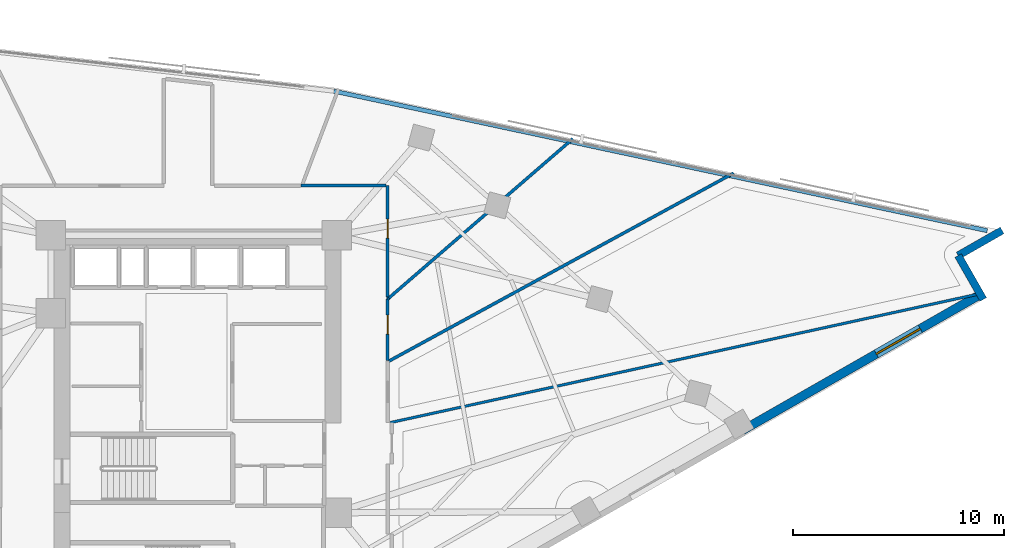
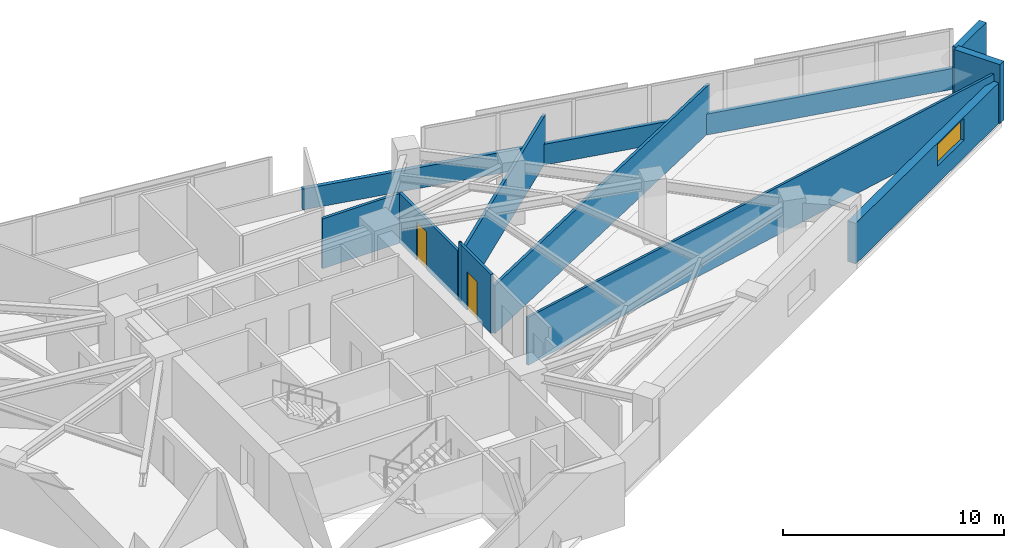
# One storey, part 11 of 14: 11 walls, 2 doors, 1 window, 3 openings.
"""IFC4 building model written with IfcOpenShell, lengths in metres."""

from ifc_helpers import new_model, si_unit, direction, frame, frame_2d, origin, place, context, subcontext, project, spatial, rectangle, extrude, material, layer, layer_set, type_object, element, fill, save


model = new_model("IFC4")

# Units and contexts
model_context = context("Model", 3, precision=1e-05, world=origin(), true_north=direction((0.0, 1.0)))
body_context = subcontext(model_context, "Body", "Model", "MODEL_VIEW")
ifc_project = project(units=[si_unit("LENGTHUNIT", "METRE"), si_unit("AREAUNIT", "SQUARE_METRE"), si_unit("VOLUMEUNIT", "CUBIC_METRE"), si_unit("PLANEANGLEUNIT", "RADIAN"), si_unit("MASSUNIT", "GRAM", prefix="KILO")], contexts=[model_context])

# Site, building, storey
site_placement = place(None, origin())
site = spatial("IfcSite", under=ifc_project, at=site_placement, CompositionType="ELEMENT")
building_placement = place(site_placement, origin())
building = spatial("IfcBuilding", under=site, at=building_placement, Name="Narakoshi Arena Tower", CompositionType="ELEMENT")
storey_placement = place(building_placement, frame((0.0, 0.0, 214.97998046875)))
storey = spatial("IfcBuildingStorey", under=building, at=storey_placement, Name="L58", CompositionType="ELEMENT", Elevation=214.97998046875)

# Walls
ifc_material_1 = material(Name="Precast concrete C45/55", Category="concrete")
ifc_layer_1 = layer(ifc_material_1, 0.25)
ifc_layer_set_1 = layer_set([ifc_layer_1], Name="Precast concrete C45/55")
wall_type_1 = type_object("IfcWallType", Name="WL-PARA-250", PredefinedType="PARAPET", material=ifc_layer_set_1)
wall_1_placement = place(storey_placement, frame((116.3955078125, 56.7216796875, 0.0), z_axis=(0.0, 0.0, 1.0), x_axis=(-0.977936620644, 0.208901809478, 0.0)))
element("IfcWall", 1, at=wall_1_placement, inside=storey, type_object=wall_type_1, Name="L58 Hypotenuse Sill Upstand Parapet 1-01", PredefinedType="PARAPET", context=body_context, shape_type="SweptSolid", body=[
    extrude(rectangle(XDim=31.685302734375, YDim=0.199951171875, at=frame_2d((15.8427734375, 0.0))), origin(), (0.0, 0.0, 1.0), 1.14990234375),
])
ifc_material_2 = material(Name="Gypsum plasterboard fire-rated partition")
ifc_layer_2 = layer(ifc_material_2, 0.125)
ifc_layer_set_2 = layer_set([ifc_layer_2], Name="Gypsum plasterboard fire-rated partition")
wall_type_2 = type_object("IfcWallType", Name="WL-PART-125", PredefinedType="PARTITIONING", material=ifc_layer_set_2)
wall_2_placement = place(storey_placement, frame((88.08203125, 47.6201171875, 0.0), z_axis=(0.0, 0.0, 1.0), x_axis=(0.976930213731, 0.21355879167, 0.0)))
element("IfcWall", 2, at=wall_2_placement, inside=storey, type_object=wall_type_2, Name="L58 Inter-Room Partition 02-03", PredefinedType="PARTITIONING", context=body_context, shape_type="SweptSolid", body=[
    extrude(rectangle(XDim=28.63134765625, YDim=0.125, at=frame_2d((14.315673828125, 0.0))), origin(), (0.0, 0.0, 1.0), 2.64501953125),
])

# Wall, opening, window
ifc_layer_3 = layer(ifc_material_1, 0.419921875)
ifc_layer_set_3 = layer_set([ifc_layer_3], Name="Precast concrete C45/55")
wall_type_3 = type_object("IfcWallType", Name="WL-POD-420", PredefinedType="SOLIDWALL", material=ifc_layer_set_3)
wall_3_placement = place(storey_placement, frame((104.791015625, 47.25048828125, 0.0), z_axis=(0.0, 0.0, 1.0), x_axis=(0.868193423982, 0.496225934987, 0.0)))
wall_3 = element("IfcWall", 3, at=wall_3_placement, inside=storey, type_object=wall_type_3, Name="L58 Architectural Concrete Facade Wall LEGA-4", PredefinedType="SOLIDWALL", context=body_context, shape_type="SweptSolid", body=[
    extrude(rectangle(XDim=12.9951171875, YDim=0.419921875, at=frame_2d((6.49755859375, 0.0))), origin(), (0.0, 0.0, 1.0), 2.2451171875),
])
opening_1_placement = place(wall_3_placement, frame((7.309814453125, 0.0, 0.965087890625)))
opening_1 = element("IfcOpeningElement", 4, at=opening_1_placement, cuts=wall_3, Name="Opening WN-04", PredefinedType="OPENING", context=body_context, shape_type="SweptSolid", body=[
    extrude(rectangle(XDim=2.39990234375, YDim=1.199951171875, at=frame_2d((1.199951171875, 0.60009765625))), frame((0.0, 0.219970703125, 0.0), z_axis=(0.0, -1.0, 0.0), x_axis=(1.0, 0.0, 0.0)), (0.0, 0.0, 1.0), 0.43994140625),
])
ifc_material_3 = material(Name="Bronze-tinted low-E laminated glass", Category="glass")
window_type = type_object("IfcWindowType", Name="WIN-SLT-24x12", PartitioningType="SINGLE_PANEL", PredefinedType="WINDOW", material=ifc_material_3)
window_placement = place(opening_1_placement, origin())
window = element("IfcWindow", 5, at=window_placement, inside=storey, type_object=window_type, Name="L58 LEGA4 Horizontal Slot Window 1", OverallHeight=1.199951171875, OverallWidth=2.39990234375, PartitioningType="SINGLE_PANEL", PredefinedType="WINDOW", context=body_context, shape_type="SweptSolid", body=[
    extrude(rectangle(XDim=2.39990234375, YDim=1.199951171875, at=frame_2d((1.199951171875, 0.60009765625))), frame((0.0, 0.030029296875, 0.0), z_axis=(0.0, -1.0, 0.0), x_axis=(1.0, 0.0, 0.0)), (0.0, 0.0, 1.0), 0.06005859375),
])
fill(opening_1, window)

# Walls
wall_4_placement = place(storey_placement, frame((116.209716796875, 53.460205078125, 0.0), z_axis=(0.0, 0.0, 1.0), x_axis=(-0.496215637313, 0.868199309655, 0.0)))
element("IfcWall", 6, at=wall_4_placement, inside=storey, type_object=wall_type_3, Name="L58 Re-Entrant Corner Notch Wall NTE-1", PredefinedType="SOLIDWALL", context=body_context, shape_type="SweptSolid", body=[
    extrude(rectangle(XDim=2.3994140625, YDim=0.360107421875, at=frame_2d((1.19970703125, 0.0))), origin(), (0.0, 0.0, 1.0), 3.260009765625),
])
wall_5_placement = place(storey_placement, frame((115.01904296875, 55.54345703125, 0.0), z_axis=(0.0, 0.0, 1.0), x_axis=(0.86818053093, 0.4962484919, 0.0)))
element("IfcWall", 7, at=wall_5_placement, inside=storey, type_object=wall_type_3, Name="L58 Re-Entrant Corner Notch Wall NTE-2", PredefinedType="SOLIDWALL", context=body_context, shape_type="SweptSolid", body=[
    extrude(rectangle(XDim=2.39990234375, YDim=0.360107421875, at=frame_2d((1.199951171875, 0.0))), origin(), (0.0, 0.0, 1.0), 3.260009765625),
])
ifc_material_4 = material(Name="Moisture-resistant cement-board partition")
ifc_layer_4 = layer(ifc_material_4, 0.14501953125)
ifc_layer_set_4 = layer_set([ifc_layer_4], Name="Moisture-resistant cement-board partition")
wall_type_4 = type_object("IfcWallType", Name="WL-WET-145", PredefinedType="PARTITIONING", material=ifc_layer_set_4)
wall_6_placement = place(storey_placement, frame((88.021484375, 50.535400390625, 0.0), z_axis=(0.0, 0.0, 1.0), x_axis=(0.877922622052, 0.478802537264, 0.0)))
element("IfcWall", 8, at=wall_6_placement, inside=storey, type_object=wall_type_4, Name="L58 Inter-Room Partition 03-04", PredefinedType="PARTITIONING", context=body_context, shape_type="SweptSolid", body=[
    extrude(rectangle(XDim=18.62548828125, YDim=0.14501953125, at=frame_2d((9.312744140625, 0.0))), origin(), (0.0, 0.0, 1.0), 2.64501953125),
])

# Wall, opening, door
wall_7_placement = place(storey_placement, frame((87.96142578125, 50.562744140625, 0.0), z_axis=(0.0, 0.0, 1.0), x_axis=(0.0, 1.0, 0.0)))
wall_7 = element("IfcWall", 9, at=wall_7_placement, inside=storey, type_object=wall_type_4, Name="L58 Corridor Partition 04-1", PredefinedType="PARTITIONING", context=body_context, shape_type="SweptSolid", body=[
    extrude(rectangle(XDim=2.915283203125, YDim=0.14501953125, at=frame_2d((1.45751953125, 0.0))), origin(), (0.0, 0.0, 1.0), 3.260009765625),
])
opening_2_placement = place(wall_7_placement, frame((1.25, 0.0, 0.0)))
opening_2 = element("IfcOpeningElement", 10, at=opening_2_placement, cuts=wall_7, Name="Opening D-08", PredefinedType="OPENING", context=body_context, shape_type="SweptSolid", body=[
    extrude(rectangle(XDim=0.89990234375, YDim=2.10009765625, at=frame_2d((0.449951171875, 1.050048828125))), frame((0.0, 0.08251953125, 0.0), z_axis=(0.0, -1.0, 0.0), x_axis=(1.0, 0.0, 0.0)), (0.0, 0.0, 1.0), 0.1650390625),
])
ifc_material_5 = material(Name="Moisture-resistant laminate timber", Category="wood")
door_type = type_object("IfcDoorType", Name="DR-WC-900", OperationType="NOTDEFINED", PredefinedType="DOOR", material=ifc_material_5)
door_1_placement = place(opening_2_placement, frame((0.89990234375, 0.0, 0.0), z_axis=(0.0, 0.0, 1.0), x_axis=(-1.0, 0.0, 0.0)))
door_1 = element("IfcDoor", 11, at=door_1_placement, inside=storey, type_object=door_type, Name="DR-L58-019", OperationType="SINGLE_SWING_LEFT", OverallHeight=2.10009765625, OverallWidth=0.89990234375, PredefinedType="DOOR", context=body_context, shape_type="SweptSolid", body=[
    extrude(rectangle(XDim=0.89990234375, YDim=2.10009765625, at=frame_2d((0.449951171875, 1.050048828125))), frame((0.0, 0.02490234375, 0.0), z_axis=(0.0, -1.0, 0.0), x_axis=(1.0, 0.0, 0.0)), (0.0, 0.0, 1.0), 0.050048828125),
])
fill(opening_2, door_1)

# Walls
wall_8_placement = place(storey_placement, frame((87.96142578125, 53.47802734375, 0.0), z_axis=(0.0, 0.0, 1.0), x_axis=(0.757514976672, 0.652817784774, 0.0)))
element("IfcWall", 12, at=wall_8_placement, inside=storey, type_object=wall_type_4, Name="L58 Corridor Partition 04-2", PredefinedType="PARTITIONING", context=body_context, shape_type="SweptSolid", body=[
    extrude(rectangle(XDim=0.079345703125, YDim=0.14501953125, at=frame_2d((0.03955078125, 0.0))), origin(), (0.0, 0.0, 1.0), 3.260009765625),
])
wall_9_placement = place(storey_placement, frame((88.021240234375, 53.52978515625, 0.0), z_axis=(0.0, 0.0, 1.0), x_axis=(0.756178143134, 0.654365811948, 0.0)))
element("IfcWall", 13, at=wall_9_placement, inside=storey, type_object=wall_type_4, Name="L58 Inter-Room Partition 04-05", PredefinedType="PARTITIONING", context=body_context, shape_type="SweptSolid", body=[
    extrude(rectangle(XDim=11.541259765625, YDim=0.14501953125, at=frame_2d((5.7705078125, 0.0))), origin(), (0.0, 0.0, 1.0), 2.64501953125),
])

# Wall, opening, door
wall_10_placement = place(storey_placement, frame((87.96142578125, 53.589599609375, 0.0), z_axis=(0.0, 0.0, 1.0), x_axis=(0.0, 1.0, 0.0)))
wall_10 = element("IfcWall", 14, at=wall_10_placement, inside=storey, type_object=wall_type_4, Name="L58 Corridor Partition 05-1", PredefinedType="PARTITIONING", context=body_context, shape_type="SweptSolid", body=[
    extrude(rectangle(XDim=5.271728515625, YDim=0.14501953125, at=frame_2d((2.6357421875, 0.0))), origin(), (0.0, 0.0, 1.0), 2.7451171875),
])
opening_3_placement = place(wall_10_placement, frame((2.78173828125, 0.0, 0.0)))
opening_3 = element("IfcOpeningElement", 15, at=opening_3_placement, cuts=wall_10, Name="Opening D-08", PredefinedType="OPENING", context=body_context, shape_type="SweptSolid", body=[
    extrude(rectangle(XDim=0.89990234375, YDim=2.10009765625, at=frame_2d((0.449951171875, 1.050048828125))), frame((0.0, 0.08251953125, 0.0), z_axis=(0.0, -1.0, 0.0), x_axis=(1.0, 0.0, 0.0)), (0.0, 0.0, 1.0), 0.1650390625),
])
door_2_placement = place(opening_3_placement, frame((0.89990234375, 0.0, 0.0), z_axis=(0.0, 0.0, 1.0), x_axis=(-1.0, 0.0, 0.0)))
door_2 = element("IfcDoor", 16, at=door_2_placement, inside=storey, type_object=door_type, Name="DR-L58-020", OperationType="SINGLE_SWING_RIGHT", OverallHeight=2.10009765625, OverallWidth=0.89990234375, PredefinedType="DOOR", context=body_context, shape_type="SweptSolid", body=[
    extrude(rectangle(XDim=0.89990234375, YDim=2.10009765625, at=frame_2d((0.449951171875, 1.050048828125))), frame((0.0, 0.02490234375, 0.0), z_axis=(0.0, -1.0, 0.0), x_axis=(1.0, 0.0, 0.0)), (0.0, 0.0, 1.0), 0.050048828125),
])
fill(opening_3, door_2)

# Wall
wall_11_placement = place(storey_placement, frame((87.876953125, 58.861328125, 0.0), z_axis=(0.0, 0.0, 1.0), x_axis=(-1.0, 0.0, 0.0)))
element("IfcWall", 17, at=wall_11_placement, inside=storey, type_object=wall_type_4, Name="L58 Corridor Partition 05-2", PredefinedType="PARTITIONING", context=body_context, shape_type="SweptSolid", body=[
    extrude(rectangle(XDim=4.013427734375, YDim=0.14501953125, at=frame_2d((2.0068359375, 0.0))), origin(), (0.0, 0.0, 1.0), 2.7451171875),
])

save(model, "model.ifc")
